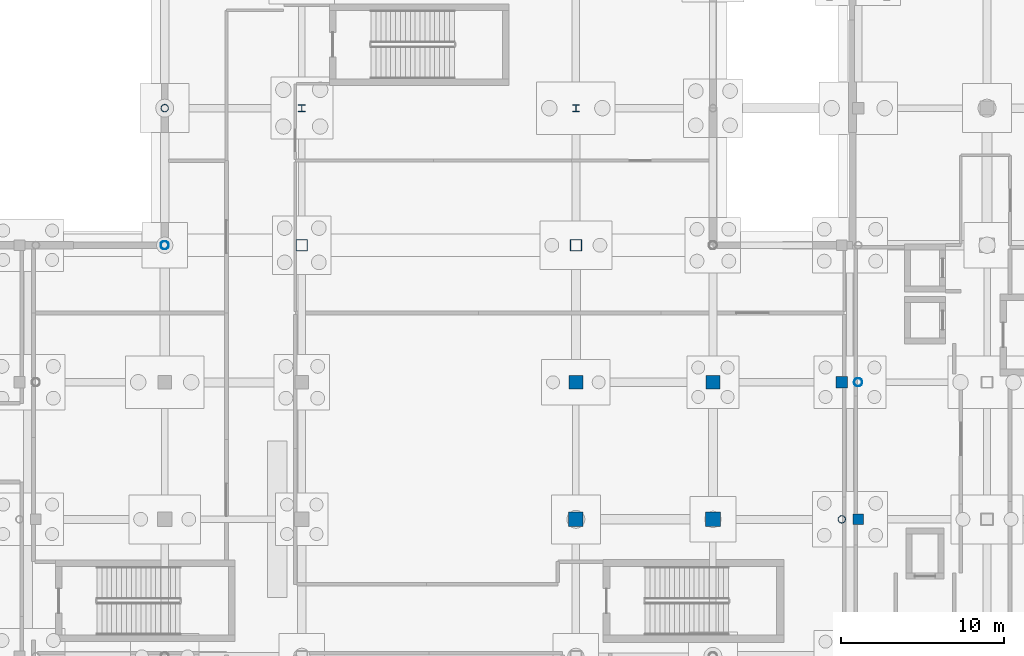
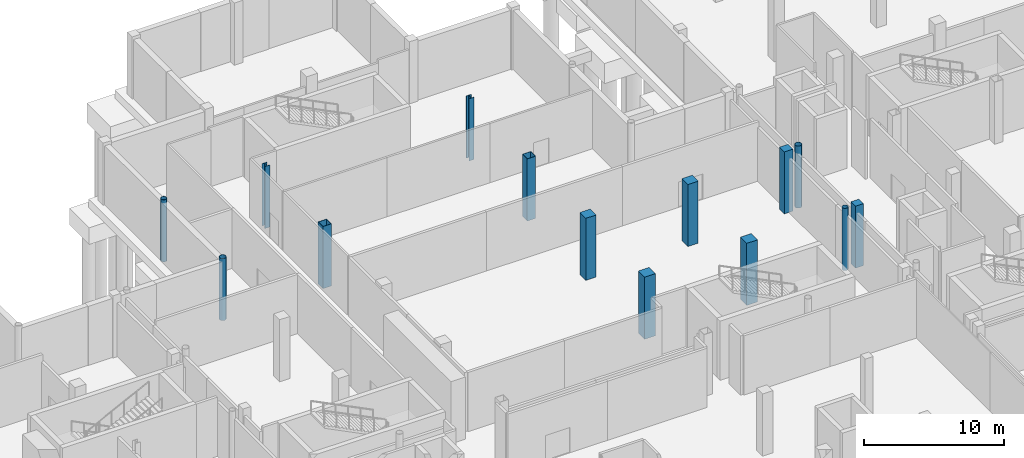
# One storey, part 14 of 49: 14 columns.
"""IFC4 building model written with IfcOpenShell, lengths in metres."""

from ifc_helpers import new_model, si_unit, direction, frame, origin, origin_2d, place, context, subcontext, project, spatial, rectangle, hollow_rectangle, hollow_circle, i_section, extrude, material, material_profile, profile_set, type_object, element, save


model = new_model("IFC4")

# Units and contexts
model_context = context("Model", 3, precision=1e-05, world=origin(), true_north=direction((0.0, 1.0)))
body_context = subcontext(model_context, "Body", "Model", "MODEL_VIEW")
ifc_project = project(units=[si_unit("LENGTHUNIT", "METRE"), si_unit("AREAUNIT", "SQUARE_METRE"), si_unit("VOLUMEUNIT", "CUBIC_METRE"), si_unit("PLANEANGLEUNIT", "RADIAN"), si_unit("MASSUNIT", "GRAM", prefix="KILO"), si_unit("THERMODYNAMICTEMPERATUREUNIT", "KELVIN")], contexts=[model_context])

# Site, building, storey
site_placement = place(None, origin())
site = spatial("IfcSite", under=ifc_project, at=site_placement, CompositionType="ELEMENT")
building_placement = place(site_placement, origin())
building = spatial("IfcBuilding", under=site, at=building_placement, Name="Lustrewick Department Store", CompositionType="ELEMENT")
storey_placement = place(building_placement, frame((0.0, 0.0, -5.39990234375)))
storey = spatial("IfcBuildingStorey", under=building, at=storey_placement, Name="B1", CompositionType="ELEMENT", Elevation=-5.39990234375)

# Columns
ifc_material_1 = material(Name="Structural steel Q355C", Category="steel")
ifc_material_profile_1 = material_profile(ifc_material_1, hollow_rectangle(XDim=0.699951171875, YDim=0.699951171875, WallThickness=0.02587890625, at=origin_2d()), Name="BOX 700x700x26")
ifc_profile_set_1 = profile_set([ifc_material_profile_1], Name="Structural steel Q355C")
column_type_1 = type_object("IfcColumnType", Name="C02", PredefinedType="COLUMN", material=ifc_profile_set_1)
for number, where, z_axis, x_axis, name in (
    (1, (75.60009765625, 84.0, 0.0), (0.0, 0.0, 1.0), (1.0, 0.0, 0.0), "B1 V2 Column C02"),
    (2, (92.39990234375, 84.0, 0.0), (0.0, 0.0, 1.0), (1.0, 0.0, 0.0), "B1 V2 Column C02"),
):
    element("IfcColumn", number, at=place(storey_placement, frame(where, z_axis=z_axis, x_axis=x_axis)), inside=storey, type_object=column_type_1, Name=name, PredefinedType="COLUMN", context=body_context, shape_type="SweptSolid", body=[
        extrude(hollow_rectangle(XDim=0.699951171875, YDim=0.699951171875, WallThickness=0.02587890625, at=origin_2d()), origin(), (0.0, 0.0, 1.0), 5.39990234375),
    ])
ifc_material_profile_2 = material_profile(ifc_material_1, i_section(OverallWidth=0.406982421875, OverallDepth=0.427978515625, WebThickness=0.02001953125, FlangeThickness=0.034912109375, FilletRadius=0.02197265625, at=origin_2d()), Name="HW 428x407x20x35")
ifc_profile_set_2 = profile_set([ifc_material_profile_2], Name="Structural steel Q355C")
column_type_2 = type_object("IfcColumnType", Name="C09", PredefinedType="COLUMN", material=ifc_profile_set_2)
for number, where, z_axis, x_axis, name in (
    (3, (75.60009765625, 92.39990234375, 0.0), (0.0, 0.0, 1.0), (1.0, 0.0, 0.0), "B1 V2 Column C09"),
    (4, (92.39990234375, 92.39990234375, 0.0), (0.0, 0.0, 1.0), (1.0, 0.0, 0.0), "B1 V2 Column C09"),
):
    element("IfcColumn", number, at=place(storey_placement, frame(where, z_axis=z_axis, x_axis=x_axis)), inside=storey, type_object=column_type_2, Name=name, PredefinedType="COLUMN", context=body_context, shape_type="SweptSolid", body=[
        extrude(i_section(OverallWidth=0.406982421875, OverallDepth=0.427978515625, WebThickness=0.02001953125, FlangeThickness=0.034912109375, FilletRadius=0.02197265625, at=origin_2d()), origin(), (0.0, 0.0, 1.0), 5.39990234375),
    ])
ifc_material_2 = material(Name="Concrete C50", Category="concrete")
ifc_material_profile_3 = material_profile(ifc_material_2, rectangle(XDim=0.89990234375, YDim=0.89990234375, at=origin_2d()), Name="RC 900x900")
ifc_profile_set_3 = profile_set([ifc_material_profile_3], Name="Concrete C50")
column_type_3 = type_object("IfcColumnType", Name="C17", PredefinedType="COLUMN", material=ifc_profile_set_3)
for number, where, z_axis, x_axis, name in (
    (5, (92.39990234375, 67.199951171875, 0.0), (0.0, 0.0, 1.0), (1.0, 0.0, 0.0), "B1 V2 Column C17"),
    (6, (100.800048828125, 67.199951171875, 0.0), (0.0, 0.0, 1.0), (1.0, 0.0, 0.0), "B1 V2 Column C17"),
):
    element("IfcColumn", number, at=place(storey_placement, frame(where, z_axis=z_axis, x_axis=x_axis)), inside=storey, type_object=column_type_3, Name=name, PredefinedType="COLUMN", context=body_context, shape_type="SweptSolid", body=[
        extrude(rectangle(XDim=0.89990234375, YDim=0.89990234375, at=origin_2d()), origin(), (0.0, 0.0, 1.0), 5.39990234375),
    ])
ifc_material_profile_4 = material_profile(ifc_material_2, rectangle(XDim=0.85009765625, YDim=0.85009765625, at=origin_2d()), Name="RC 850x850")
ifc_profile_set_4 = profile_set([ifc_material_profile_4], Name="Concrete C50")
column_type_4 = type_object("IfcColumnType", Name="C18", PredefinedType="COLUMN", material=ifc_profile_set_4)
for number, where, z_axis, x_axis, name in (
    (7, (92.39990234375, 75.60009765625, 0.0), (0.0, 0.0, 1.0), (1.0, 0.0, 0.0), "B1 V2 Column C18"),
    (8, (100.800048828125, 75.60009765625, 0.0), (0.0, 0.0, 1.0), (1.0, 0.0, 0.0), "B1 V2 Column C18"),
):
    element("IfcColumn", number, at=place(storey_placement, frame(where, z_axis=z_axis, x_axis=x_axis)), inside=storey, type_object=column_type_4, Name=name, PredefinedType="COLUMN", context=body_context, shape_type="SweptSolid", body=[
        extrude(rectangle(XDim=0.85009765625, YDim=0.85009765625, at=origin_2d()), origin(), (0.0, 0.0, 1.0), 5.39990234375),
    ])
ifc_material_profile_5 = material_profile(ifc_material_1, hollow_circle(Radius=0.25390625, WallThickness=0.01611328125, at=origin_2d()), Name="CHS 508x16")
ifc_profile_set_5 = profile_set([ifc_material_profile_5], Name="Structural steel Q355C")
column_type_5 = type_object("IfcColumnType", Name="CE01", PredefinedType="COLUMN", material=ifc_profile_set_5)
for number, where, z_axis, x_axis, name in (
    (9, (67.199951171875, 84.0, 0.0), (0.0, 0.0, 1.0), (1.0, 0.0, 0.0), "B1 V2 Column CE01"),
    (10, (109.699951171875, 75.60009765625, 0.0), (0.0, 0.0, 1.0), (1.0, 0.0, 0.0), "B1 V4 Column CE01"),
):
    element("IfcColumn", number, at=place(storey_placement, frame(where, z_axis=z_axis, x_axis=x_axis)), inside=storey, type_object=column_type_5, Name=name, PredefinedType="COLUMN", context=body_context, shape_type="SweptSolid", body=[
        extrude(hollow_circle(Radius=0.25390625, WallThickness=0.01611328125, at=origin_2d()), origin(), (0.0, 0.0, 1.0), 5.39990234375),
    ])
ifc_material_profile_6 = material_profile(ifc_material_1, hollow_circle(Radius=0.228515625, WallThickness=0.01611328125, at=origin_2d()), Name="CHS 457x16")
ifc_profile_set_6 = profile_set([ifc_material_profile_6], Name="Structural steel Q355C")
column_type_6 = type_object("IfcColumnType", Name="CE02", PredefinedType="COLUMN", material=ifc_profile_set_6)
for number, where, z_axis, x_axis, name in (
    (11, (67.199951171875, 92.39990234375, 0.0), (0.0, 0.0, 1.0), (1.0, 0.0, 0.0), "B1 V2 Column CE02"),
    (12, (108.699951171875, 67.199951171875, 0.0), (0.0, 0.0, 1.0), (1.0, 0.0, 0.0), "B1 V2 Column CE02"),
):
    element("IfcColumn", number, at=place(storey_placement, frame(where, z_axis=z_axis, x_axis=x_axis)), inside=storey, type_object=column_type_6, Name=name, PredefinedType="COLUMN", context=body_context, shape_type="SweptSolid", body=[
        extrude(hollow_circle(Radius=0.228515625, WallThickness=0.01611328125, at=origin_2d()), origin(), (0.0, 0.0, 1.0), 5.39990234375),
    ])
ifc_material_3 = material(Name="Concrete C40", Category="concrete")
ifc_material_profile_7 = material_profile(ifc_material_3, rectangle(XDim=0.699951171875, YDim=0.699951171875, at=origin_2d()), Name="RC 700x700")
ifc_profile_set_7 = profile_set([ifc_material_profile_7], Name="Concrete C40")
column_type_7 = type_object("IfcColumnType", Name="CE06", PredefinedType="COLUMN", material=ifc_profile_set_7)
column_1_placement = place(storey_placement, frame((108.699951171875, 75.60009765625, 0.0), z_axis=(0.0, 0.0, 1.0), x_axis=(1.0, 0.0, 0.0)))
element("IfcColumn", 13, at=column_1_placement, inside=storey, type_object=column_type_7, Name="B1 V2 Column CE06", PredefinedType="COLUMN", context=body_context, shape_type="SweptSolid", body=[
    extrude(rectangle(XDim=0.699951171875, YDim=0.699951171875, at=origin_2d()), origin(), (0.0, 0.0, 1.0), 5.39990234375),
])
ifc_material_profile_8 = material_profile(ifc_material_3, rectangle(XDim=0.64990234375, YDim=0.64990234375, at=origin_2d()), Name="RC 650x650")
ifc_profile_set_8 = profile_set([ifc_material_profile_8], Name="Concrete C40")
column_type_8 = type_object("IfcColumnType", Name="CE07", PredefinedType="COLUMN", material=ifc_profile_set_8)
column_2_placement = place(storey_placement, frame((109.699951171875, 67.199951171875, 0.0), z_axis=(0.0, 0.0, 1.0), x_axis=(1.0, 0.0, 0.0)))
element("IfcColumn", 14, at=column_2_placement, inside=storey, type_object=column_type_8, Name="B1 V4 Column CE07", PredefinedType="COLUMN", context=body_context, shape_type="SweptSolid", body=[
    extrude(rectangle(XDim=0.64990234375, YDim=0.64990234375, at=origin_2d()), origin(), (0.0, 0.0, 1.0), 5.39990234375),
])

save(model, "model.ifc")
